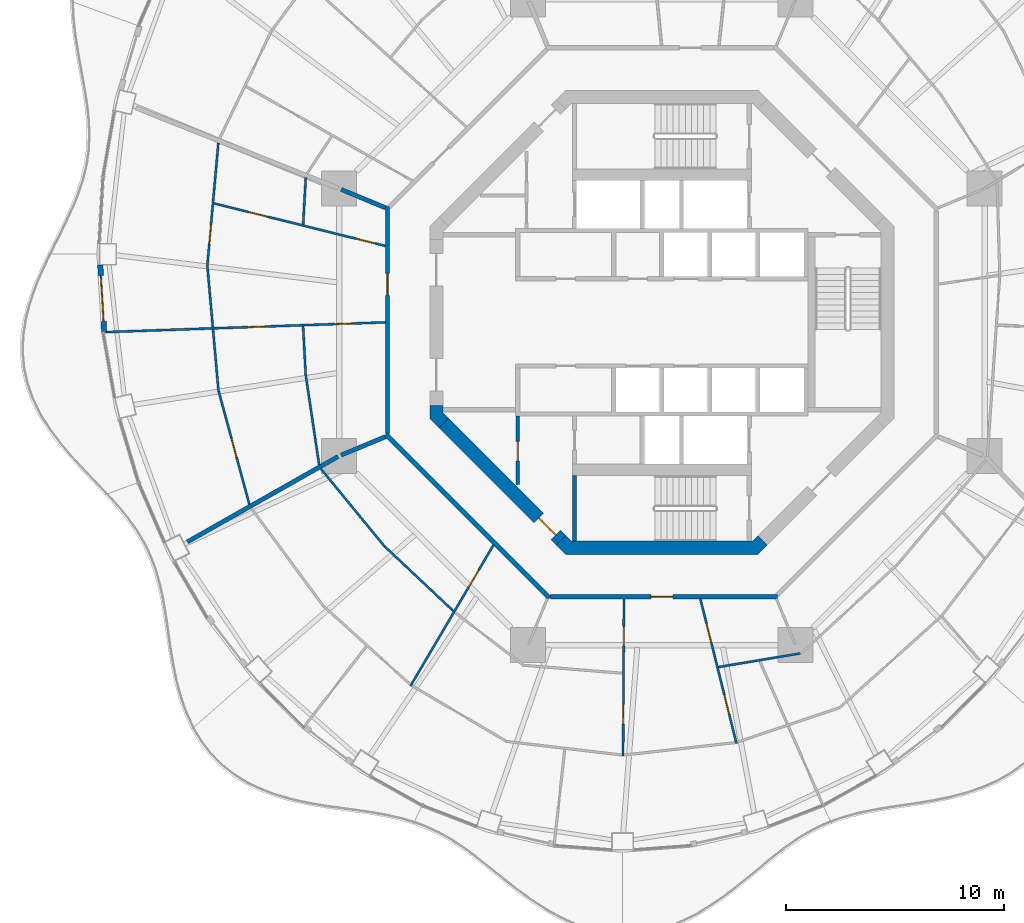
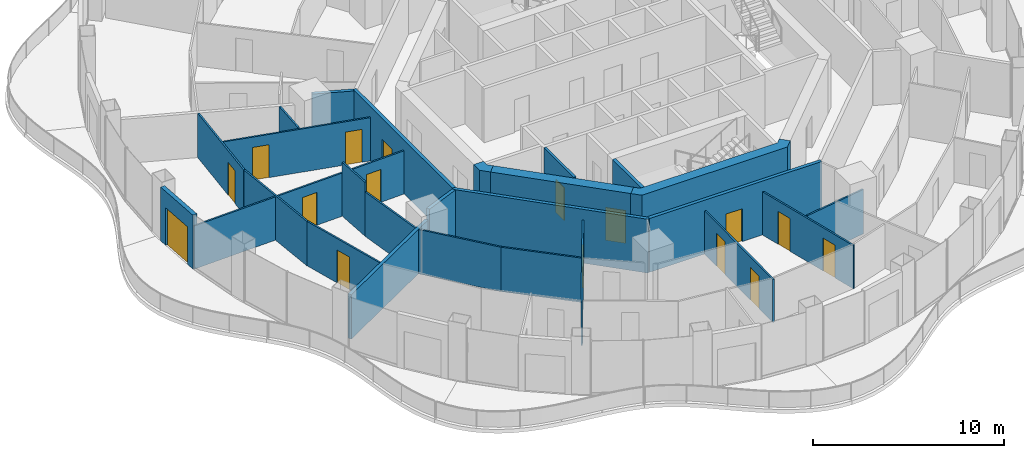
# One storey, part 10 of 18: 26 walls, 16 doors, 16 openings.
"""IFC4 building model written with IfcOpenShell, lengths in metres."""

from ifc_helpers import new_model, si_unit, direction, frame, frame_2d, origin, place, context, subcontext, project, spatial, polyline, rectangle, outline, extrude, material, layer, layer_set, type_object, element, fill, save


model = new_model("IFC4")

# Units and contexts
model_context = context("Model", 3, precision=1e-05, world=origin(), true_north=direction((0.0, 1.0)))
body_context = subcontext(model_context, "Body", "Model", "MODEL_VIEW")
ifc_project = project(units=[si_unit("LENGTHUNIT", "METRE"), si_unit("AREAUNIT", "SQUARE_METRE"), si_unit("VOLUMEUNIT", "CUBIC_METRE"), si_unit("PLANEANGLEUNIT", "RADIAN"), si_unit("MASSUNIT", "GRAM", prefix="KILO")], contexts=[model_context])

# Site, building, storey
site_placement = place(None, origin())
site = spatial("IfcSite", under=ifc_project, at=site_placement, CompositionType="ELEMENT")
building_placement = place(site_placement, origin())
building = spatial("IfcBuilding", under=site, at=building_placement, Name="Nagisa Residences", CompositionType="ELEMENT")
storey_placement = place(building_placement, frame((0.0, 0.0, 223.300048828125)))
storey = spatial("IfcBuildingStorey", under=building, at=storey_placement, Name="L56", CompositionType="ELEMENT", Elevation=223.300048828125)

# Walls
ifc_material_1 = material(Name="Gypsum board on steel studs", Category="steel")
ifc_layer_1 = layer(ifc_material_1, 0.199951171875)
ifc_layer_set_1 = layer_set([ifc_layer_1], Name="Apartment compartment wall EI60 200")
wall_type_1 = type_object("IfcWallType", Name="Apartment compartment wall EI60 200", PredefinedType="PARTITIONING", material=ifc_layer_set_1)
for number, where, z_axis, x_axis, name in (
    (1, (-12.6572265625, 5.24267578125, 0.0), (0.0, 0.0, 1.0), (-0.923859888513, 0.38273085373, 0.0), "wall:L56:u02"),
    (2, (-12.6572265625, -5.24267578125, 0.0), (0.0, 0.0, 1.0), (-0.923859888513, -0.38273085373, 0.0), "wall:L56:u04"),
):
    element("IfcWall", number, at=place(storey_placement, frame(where, z_axis=z_axis, x_axis=x_axis)), inside=storey, type_object=wall_type_1, Name=name, PredefinedType="PARTITIONING", context=body_context, shape_type="SweptSolid", body=[
        extrude(rectangle(XDim=2.199462890625, YDim=0.199951171875, at=frame_2d((1.099609375, 0.0))), origin(), (0.0, 0.0, 1.0), 3.43994140625),
    ])
wall_1_placement = place(storey_placement, frame((-14.825439453125, -6.147705078125, 0.0), z_axis=(0.0, 0.0, 1.0), x_axis=(-0.870099576105, -0.492875975944, 0.0)))
element("IfcWall", 3, at=wall_1_placement, inside=storey, type_object=wall_type_1, Name="wall:L56:u05", PredefinedType="PARTITIONING", context=body_context, shape_type="SweptSolid", body=[
    extrude(rectangle(XDim=7.937255859375, YDim=0.199951171875, at=frame_2d((3.96875, 0.0))), origin(), (0.0, 0.0, 1.0), 2.8369140625),
])

# Wall, opening, door
ifc_material_2 = material(Name="Gypsum board on steel studs", Category="steel")
ifc_layer_2 = layer(ifc_material_2, 0.199951171875)
ifc_layer_set_2 = layer_set([ifc_layer_2], Name="Apartment entry wall EI60 200")
wall_type_2 = type_object("IfcWallType", Name="Apartment entry wall EI60 200", PredefinedType="PARTITIONING", material=ifc_layer_set_2)
wall_2_placement = place(storey_placement, frame((-12.564697265625, 5.304443359375, 0.0), z_axis=(0.0, 0.0, 1.0), x_axis=(0.0, -1.0, 0.0)))
wall_2 = element("IfcWall", 4, at=wall_2_placement, inside=storey, type_object=wall_type_2, Name="wall:L56:u12", PredefinedType="PARTITIONING", context=body_context, shape_type="SweptSolid", body=[
    extrude(rectangle(XDim=10.408935546875, YDim=0.199951171875, at=frame_2d((5.20458984375, 0.0))), origin(), (0.0, 0.0, 1.0), 3.43994140625),
])
opening_1_placement = place(wall_2_placement, frame((3.069580078125, 0.0, 0.0)))
opening_1 = element("IfcOpeningElement", 5, at=opening_1_placement, cuts=wall_2, Name="Opening L56-U08", PredefinedType="OPENING", context=body_context, shape_type="SweptSolid", body=[
    extrude(rectangle(XDim=1.0, YDim=2.10009765625, at=frame_2d((0.5, 1.050048828125))), frame((0.0, 0.10986328125, 0.0), z_axis=(0.0, -1.0, 0.0), x_axis=(1.0, 0.0, 0.0)), (0.0, 0.0, 1.0), 0.219970703125),
])
ifc_material_3 = material(Name="Timber fire door set", Category="wood")
door_type_1 = type_object("IfcDoorType", Name="Apartment entry door FD30S 1000x2100", OperationType="NOTDEFINED", PredefinedType="DOOR", material=ifc_material_3)
door_1_placement = place(opening_1_placement, frame((1.0, 0.0, 0.0), x_axis=(-1.0, 0.0, 0.0)))
door_1 = element("IfcDoor", 6, at=door_1_placement, inside=storey, type_object=door_type_1, Name="Entry door, Apartment 56B", OperationType="SINGLE_SWING_LEFT", OverallHeight=2.10009765625, OverallWidth=1.0, PredefinedType="DOOR", context=body_context, shape_type="SweptSolid", body=[
    extrude(rectangle(XDim=1.0, YDim=2.10009765625, at=frame_2d((0.5, 1.050048828125))), frame((0.0, 0.02490234375, 0.0), z_axis=(0.0, -1.0, 0.0), x_axis=(1.0, 0.0, 0.0)), (0.0, 0.0, 1.0), 0.050048828125),
])
fill(opening_1, door_1)

# Wall
wall_3_placement = place(storey_placement, frame((-12.635498046875, -5.1337890625, 0.0), z_axis=(0.0, 0.0, 1.0), x_axis=(0.707106781187, -0.707106781187, 0.0)))
element("IfcWall", 7, at=wall_3_placement, inside=storey, type_object=wall_type_2, Name="wall:L56:u13", PredefinedType="PARTITIONING", context=body_context, shape_type="SweptSolid", body=[
    extrude(rectangle(XDim=10.609130859375, YDim=0.199951171875, at=frame_2d((5.3046875, 0.0))), origin(), (0.0, 0.0, 1.0), 3.43994140625),
])

# Wall, opening, door
wall_4_placement = place(storey_placement, frame((-5.1044921875, -12.564697265625, 0.0), z_axis=(0.0, 0.0, 1.0), x_axis=(1.0, 0.0, 0.0)))
wall_4 = element("IfcWall", 8, at=wall_4_placement, inside=storey, type_object=wall_type_2, Name="wall:L56:u14", PredefinedType="PARTITIONING", context=body_context, shape_type="SweptSolid", body=[
    extrude(rectangle(XDim=10.408935546875, YDim=0.199951171875, at=frame_2d((5.20458984375, 0.0))), origin(), (0.0, 0.0, 1.0), 3.43994140625),
])
opening_2_placement = place(wall_4_placement, frame((4.6044921875, 0.0, 0.0)))
opening_2 = element("IfcOpeningElement", 9, at=opening_2_placement, cuts=wall_4, Name="Opening L56-U15", PredefinedType="OPENING", context=body_context, shape_type="SweptSolid", body=[
    extrude(rectangle(XDim=1.0, YDim=2.10009765625, at=frame_2d((0.5, 1.050048828125))), frame((0.0, 0.10986328125, 0.0), z_axis=(0.0, -1.0, 0.0), x_axis=(1.0, 0.0, 0.0)), (0.0, 0.0, 1.0), 0.219970703125),
])
door_2_placement = place(opening_2_placement, frame((1.0, 0.0, 0.0), x_axis=(-1.0, 0.0, 0.0)))
door_2 = element("IfcDoor", 10, at=door_2_placement, inside=storey, type_object=door_type_1, Name="Entry door, Apartment 56C", OperationType="SINGLE_SWING_RIGHT", OverallHeight=2.10009765625, OverallWidth=1.0, PredefinedType="DOOR", context=body_context, shape_type="SweptSolid", body=[
    extrude(rectangle(XDim=1.0, YDim=2.10009765625, at=frame_2d((0.5, 1.050048828125))), frame((0.0, 0.02490234375, 0.0), z_axis=(0.0, -1.0, 0.0), x_axis=(1.0, 0.0, 0.0)), (0.0, 0.0, 1.0), 0.050048828125),
])
fill(opening_2, door_2)

# Wall
ifc_material_4 = material(Name="Gypsum board on steel studs", Category="steel")
ifc_layer_3 = layer(ifc_material_4, 0.10009765625)
ifc_layer_set_3 = layer_set([ifc_layer_3], Name="Apartment partition 100")
wall_type_3 = type_object("IfcWallType", Name="Apartment partition 100", PredefinedType="PARTITIONING", material=ifc_layer_set_3)
wall_5_placement = place(storey_placement, frame((-16.306884765625, 6.62744140625, 0.0), z_axis=(0.0, 0.0, 1.0), x_axis=(-0.055608865939, -0.998452629837, 0.0)))
element("IfcWall", 11, at=wall_5_placement, inside=storey, type_object=wall_type_3, Name="wall:L56:u54", PredefinedType="PARTITIONING", context=body_context, shape_type="SweptSolid", body=[
    extrude(rectangle(XDim=2.142578125, YDim=0.10009765625, at=frame_2d((1.0712890625, 0.0))), origin(), (0.0, 0.0, 1.0), 2.8369140625),
])

# Wall, opening, door
wall_6_placement = place(storey_placement, frame((-20.3095703125, 8.21826171875, 0.0), z_axis=(0.0, 0.0, 1.0), x_axis=(-0.089284106956, -0.996006198899, 0.0)))
wall_6 = element("IfcWall", 12, at=wall_6_placement, inside=storey, type_object=wall_type_3, Name="wall:L56:u55", PredefinedType="PARTITIONING", context=body_context, shape_type="SweptSolid", body=[
    extrude(rectangle(XDim=5.698486328125, YDim=0.10009765625, at=frame_2d((2.84912109375, 0.0))), origin(), (0.0, 0.0, 1.0), 2.8369140625),
])
opening_3_placement = place(wall_6_placement, frame((3.761474609375, 0.0, 0.0)))
opening_3 = element("IfcOpeningElement", 13, at=opening_3_placement, cuts=wall_6, Name="Opening L56-U13", PredefinedType="OPENING", context=body_context, shape_type="SweptSolid", body=[
    extrude(rectangle(XDim=0.89990234375, YDim=2.10009765625, at=frame_2d((0.449951171875, 1.050048828125))), frame((0.0, 0.06005859375, 0.0), z_axis=(0.0, -1.0, 0.0), x_axis=(1.0, 0.0, 0.0)), (0.0, 0.0, 1.0), 0.1201171875),
])
ifc_material_5 = material(Name="Timber door set", Category="wood")
door_type_2 = type_object("IfcDoorType", Name="Apartment door 900x2100", OperationType="NOTDEFINED", PredefinedType="DOOR", material=ifc_material_5)
door_3_placement = place(opening_3_placement, frame((0.89990234375, 0.0, 0.0), x_axis=(-1.0, 0.0, 0.0)))
door_3 = element("IfcDoor", 14, at=door_3_placement, inside=storey, type_object=door_type_2, Name="Door to master bedroom, Apartment 56B", OperationType="SINGLE_SWING_RIGHT", OverallHeight=2.10009765625, OverallWidth=0.89990234375, PredefinedType="DOOR", context=body_context, shape_type="SweptSolid", body=[
    extrude(rectangle(XDim=0.89990234375, YDim=2.10009765625, at=frame_2d((0.449951171875, 1.050048828125))), frame((0.0, 0.02490234375, 0.0), z_axis=(0.0, -1.0, 0.0), x_axis=(1.0, 0.0, 0.0)), (0.0, 0.0, 1.0), 0.050048828125),
])
fill(opening_3, door_3)

# Wall, openings, doors
wall_7_placement = place(storey_placement, frame((-12.661865234375, 3.49365234375, 0.0), z_axis=(0.0, 0.0, 1.0), x_axis=(-0.970505526029, 0.241078874951, 0.0)))
wall_7 = element("IfcWall", 15, at=wall_7_placement, inside=storey, type_object=wall_type_3, Name="wall:L56:u56", PredefinedType="PARTITIONING", context=body_context, shape_type="SweptSolid", body=[
    extrude(rectangle(XDim=8.08544921875, YDim=0.10009765625, at=frame_2d((4.042724609375, 0.0))), origin(), (0.0, 0.0, 1.0), 2.761962890625),
])
opening_4_placement = place(wall_7_placement, frame((0.464111328125, 0.0, 0.0)))
opening_4 = element("IfcOpeningElement", 16, at=opening_4_placement, cuts=wall_7, Name="Opening L56-U09", PredefinedType="OPENING", context=body_context, shape_type="SweptSolid", body=[
    extrude(rectangle(XDim=0.89990234375, YDim=2.10009765625, at=frame_2d((0.449951171875, 1.050048828125))), frame((0.0, 0.06005859375, 0.0), z_axis=(0.0, -1.0, 0.0), x_axis=(1.0, 0.0, 0.0)), (0.0, 0.0, 1.0), 0.1201171875),
])
opening_5_placement = place(wall_7_placement, frame((5.53466796875, 0.0, 0.0)))
opening_5 = element("IfcOpeningElement", 17, at=opening_5_placement, cuts=wall_7, Name="Opening L56-U11", PredefinedType="OPENING", context=body_context, shape_type="SweptSolid", body=[
    extrude(rectangle(XDim=0.89990234375, YDim=2.10009765625, at=frame_2d((0.449951171875, 1.050048828125))), frame((0.0, 0.06005859375, 0.0), z_axis=(0.0, -1.0, 0.0), x_axis=(1.0, 0.0, 0.0)), (0.0, 0.0, 1.0), 0.1201171875),
])
door_4_placement = place(opening_4_placement, frame((0.89990234375, 0.0, 0.0), x_axis=(-1.0, 0.0, 0.0)))
door_4 = element("IfcDoor", 18, at=door_4_placement, inside=storey, type_object=door_type_2, Name="Door to family bathroom, Apartment 56B", OperationType="SINGLE_SWING_RIGHT", OverallHeight=2.10009765625, OverallWidth=0.89990234375, PredefinedType="DOOR", context=body_context, shape_type="SweptSolid", body=[
    extrude(rectangle(XDim=0.89990234375, YDim=2.10009765625, at=frame_2d((0.449951171875, 1.050048828125))), frame((0.0, 0.02490234375, 0.0), z_axis=(0.0, -1.0, 0.0), x_axis=(1.0, 0.0, 0.0)), (0.0, 0.0, 1.0), 0.050048828125),
])
fill(opening_4, door_4)
door_5_placement = place(opening_5_placement, frame((0.89990234375, 0.0, 0.0), x_axis=(-1.0, 0.0, 0.0)))
door_5 = element("IfcDoor", 19, at=door_5_placement, inside=storey, type_object=door_type_2, Name="Door to family bathroom, Apartment 56B", OperationType="SINGLE_SWING_RIGHT", OverallHeight=2.10009765625, OverallWidth=0.89990234375, PredefinedType="DOOR", context=body_context, shape_type="SweptSolid", body=[
    extrude(rectangle(XDim=0.89990234375, YDim=2.10009765625, at=frame_2d((0.449951171875, 1.050048828125))), frame((0.0, 0.02490234375, 0.0), z_axis=(0.0, -1.0, 0.0), x_axis=(1.0, 0.0, 0.0)), (0.0, 0.0, 1.0), 0.050048828125),
])
fill(opening_5, door_5)

# Wall
wall_8_placement = place(storey_placement, frame((-20.8095703125, 2.54248046875, 0.0), z_axis=(0.0, 0.0, 1.0), x_axis=(0.088651453697, -0.996062708748, 0.0)))
element("IfcWall", 20, at=wall_8_placement, inside=storey, type_object=wall_type_3, Name="wall:L56:u57", PredefinedType="PARTITIONING", context=body_context, shape_type="SweptSolid", body=[
    extrude(rectangle(XDim=5.736572265625, YDim=0.10009765625, at=frame_2d((2.8681640625, 0.0))), origin(), (0.0, 0.0, 1.0), 2.8369140625),
])

# Wall, openings, doors
wall_9_placement = place(storey_placement, frame((-12.664794921875, -0.00341796875, 0.0), z_axis=(0.0, 0.0, 1.0), x_axis=(-0.999390583608, -0.034906466382, 0.0)))
wall_9 = element("IfcWall", 21, at=wall_9_placement, inside=storey, type_object=wall_type_3, Name="wall:L56:u58", PredefinedType="PARTITIONING", context=body_context, shape_type="SweptSolid", body=[
    extrude(rectangle(XDim=12.967041015625, YDim=0.10009765625, at=frame_2d((6.4833984375, 0.0))), origin(), (0.0, 0.0, 1.0), 2.761962890625),
])
opening_6_placement = place(wall_9_placement, frame((1.435302734375, 0.0, 0.0)))
opening_6 = element("IfcOpeningElement", 22, at=opening_6_placement, cuts=wall_9, Name="Opening L56-U10", PredefinedType="OPENING", context=body_context, shape_type="SweptSolid", body=[
    extrude(rectangle(XDim=0.89990234375, YDim=2.10009765625, at=frame_2d((0.449951171875, 1.050048828125))), frame((0.0, 0.06005859375, 0.0), z_axis=(0.0, -1.0, 0.0), x_axis=(1.0, 0.0, 0.0)), (0.0, 0.0, 1.0), 0.1201171875),
])
opening_7_placement = place(wall_9_placement, frame((5.385009765625, 0.0, 0.0)))
opening_7 = element("IfcOpeningElement", 23, at=opening_7_placement, cuts=wall_9, Name="Opening L56-U12", PredefinedType="OPENING", context=body_context, shape_type="SweptSolid", body=[
    extrude(rectangle(XDim=0.89990234375, YDim=2.10009765625, at=frame_2d((0.449951171875, 1.050048828125))), frame((0.0, 0.06005859375, 0.0), z_axis=(0.0, -1.0, 0.0), x_axis=(1.0, 0.0, 0.0)), (0.0, 0.0, 1.0), 0.1201171875),
])
door_6_placement = place(opening_6_placement, origin())
door_6 = element("IfcDoor", 24, at=door_6_placement, inside=storey, type_object=door_type_2, Name="Door to store, Apartment 56B", OperationType="SINGLE_SWING_RIGHT", OverallHeight=2.10009765625, OverallWidth=0.89990234375, PredefinedType="DOOR", context=body_context, shape_type="SweptSolid", body=[
    extrude(rectangle(XDim=0.89990234375, YDim=2.10009765625, at=frame_2d((0.449951171875, 1.050048828125))), frame((0.0, 0.02490234375, 0.0), z_axis=(0.0, -1.0, 0.0), x_axis=(1.0, 0.0, 0.0)), (0.0, 0.0, 1.0), 0.050048828125),
])
fill(opening_6, door_6)
door_7_placement = place(opening_7_placement, origin())
door_7 = element("IfcDoor", 25, at=door_7_placement, inside=storey, type_object=door_type_2, Name="Door to kitchen, Apartment 56B", OperationType="SINGLE_SWING_RIGHT", OverallHeight=2.10009765625, OverallWidth=0.89990234375, PredefinedType="DOOR", context=body_context, shape_type="SweptSolid", body=[
    extrude(rectangle(XDim=0.89990234375, YDim=2.10009765625, at=frame_2d((0.449951171875, 1.050048828125))), frame((0.0, 0.02490234375, 0.0), z_axis=(0.0, -1.0, 0.0), x_axis=(1.0, 0.0, 0.0)), (0.0, 0.0, 1.0), 0.050048828125),
])
fill(opening_7, door_7)

# Walls
wall_10_placement = place(storey_placement, frame((-16.4306640625, -0.177978515625, 0.0), z_axis=(0.0, 0.0, 1.0), x_axis=(0.053951127036, -0.998543577362, 0.0)))
element("IfcWall", 26, at=wall_10_placement, inside=storey, type_object=wall_type_3, Name="wall:L56:u59", PredefinedType="PARTITIONING", context=body_context, shape_type="SweptSolid", body=[
    extrude(rectangle(XDim=2.18115234375, YDim=0.10009765625, at=frame_2d((1.090576171875, 0.0))), origin(), (0.0, 0.0, 1.0), 3.43994140625),
])
wall_11_placement = place(storey_placement, frame((-16.317626953125, -2.3564453125, 0.0), z_axis=(0.0, 0.0, 1.0), x_axis=(0.147684413341, -0.989034536331, 0.0)))
element("IfcWall", 27, at=wall_11_placement, inside=storey, type_object=wall_type_3, Name="wall:L56:u60", PredefinedType="PARTITIONING", context=body_context, shape_type="SweptSolid", body=[
    extrude(rectangle(XDim=4.22216796875, YDim=0.10009765625, at=frame_2d((2.111083984375, 0.0))), origin(), (0.0, 0.0, 1.0), 2.8369140625),
])

# Wall, opening, door
wall_12_placement = place(storey_placement, frame((-20.29248046875, -3.169677734375, 0.0), z_axis=(0.0, 0.0, 1.0), x_axis=(0.26187906236, -0.965100697698, 0.0)))
wall_12 = element("IfcWall", 28, at=wall_12_placement, inside=storey, type_object=wall_type_3, Name="wall:L56:u61", PredefinedType="PARTITIONING", context=body_context, shape_type="SweptSolid", body=[
    extrude(rectangle(XDim=5.35595703125, YDim=0.10009765625, at=frame_2d((2.677978515625, 0.0))), origin(), (0.0, 0.0, 1.0), 2.8369140625),
])
opening_8_placement = place(wall_12_placement, frame((2.227783203125, 0.0, 0.0)))
opening_8 = element("IfcOpeningElement", 29, at=opening_8_placement, cuts=wall_12, Name="Opening L56-U14", PredefinedType="OPENING", context=body_context, shape_type="SweptSolid", body=[
    extrude(rectangle(XDim=0.89990234375, YDim=2.10009765625, at=frame_2d((0.449951171875, 1.050048828125))), frame((0.0, 0.06005859375, 0.0), z_axis=(0.0, -1.0, 0.0), x_axis=(1.0, 0.0, 0.0)), (0.0, 0.0, 1.0), 0.1201171875),
])
door_8_placement = place(opening_8_placement, frame((0.89990234375, 0.0, 0.0), x_axis=(-1.0, 0.0, 0.0)))
door_8 = element("IfcDoor", 30, at=door_8_placement, inside=storey, type_object=door_type_2, Name="Door to family room, Apartment 56B", OperationType="SINGLE_SWING_LEFT", OverallHeight=2.10009765625, OverallWidth=0.89990234375, PredefinedType="DOOR", context=body_context, shape_type="SweptSolid", body=[
    extrude(rectangle(XDim=0.89990234375, YDim=2.10009765625, at=frame_2d((0.449951171875, 1.050048828125))), frame((0.0, 0.02490234375, 0.0), z_axis=(0.0, -1.0, 0.0), x_axis=(1.0, 0.0, 0.0)), (0.0, 0.0, 1.0), 0.050048828125),
])
fill(opening_8, door_8)

# Walls
wall_13_placement = place(storey_placement, frame((-15.615966796875, -6.70849609375, 0.0), z_axis=(0.0, 0.0, 1.0), x_axis=(0.634076422357, -0.773270386483, 0.0)))
element("IfcWall", 31, at=wall_13_placement, inside=storey, type_object=wall_type_3, Name="wall:L56:u62", PredefinedType="PARTITIONING", context=body_context, shape_type="SweptSolid", body=[
    extrude(rectangle(XDim=4.611083984375, YDim=0.10009765625, at=frame_2d((2.3056640625, 0.0))), origin(), (0.0, 0.0, 1.0), 2.8369140625),
])
wall_14_placement = place(storey_placement, frame((-12.6875, -10.269775390625, 0.0), z_axis=(0.0, 0.0, 1.0), x_axis=(0.728268142903, -0.685292282192, 0.0)))
element("IfcWall", 32, at=wall_14_placement, inside=storey, type_object=wall_type_3, Name="wall:L56:u64", PredefinedType="PARTITIONING", context=body_context, shape_type="SweptSolid", body=[
    extrude(rectangle(XDim=4.311767578125, YDim=0.10009765625, at=frame_2d((2.15576171875, 0.0))), origin(), (0.0, 0.0, 1.0), 2.8369140625),
])

# Wall, opening, door
wall_15_placement = place(storey_placement, frame((-7.708740234375, -10.197509765625, 0.0), z_axis=(0.0, 0.0, 1.0), x_axis=(-0.507362999545, -0.861732433353, 0.0)))
wall_15 = element("IfcWall", 33, at=wall_15_placement, inside=storey, type_object=wall_type_3, Name="wall:L56:u67", PredefinedType="PARTITIONING", context=body_context, shape_type="SweptSolid", body=[
    extrude(rectangle(XDim=7.49853515625, YDim=0.10009765625, at=frame_2d((3.749267578125, 0.0))), origin(), (0.0, 0.0, 1.0), 2.761962890625),
])
opening_9_placement = place(wall_15_placement, frame((1.326171875, 0.0, 0.0)))
opening_9 = element("IfcOpeningElement", 34, at=opening_9_placement, cuts=wall_15, Name="Opening L56-U29", PredefinedType="OPENING", context=body_context, shape_type="SweptSolid", body=[
    extrude(rectangle(XDim=0.89990234375, YDim=2.10009765625, at=frame_2d((0.449951171875, 1.050048828125))), frame((0.0, 0.06005859375, 0.0), z_axis=(0.0, -1.0, 0.0), x_axis=(1.0, 0.0, 0.0)), (0.0, 0.0, 1.0), 0.1201171875),
])
door_9_placement = place(opening_9_placement, frame((0.89990234375, 0.0, 0.0), x_axis=(-1.0, 0.0, 0.0)))
door_9 = element("IfcDoor", 35, at=door_9_placement, inside=storey, type_object=door_type_2, Name="Door to store, Apartment 56C", OperationType="SINGLE_SWING_RIGHT", OverallHeight=2.10009765625, OverallWidth=0.89990234375, PredefinedType="DOOR", context=body_context, shape_type="SweptSolid", body=[
    extrude(rectangle(XDim=0.89990234375, YDim=2.10009765625, at=frame_2d((0.449951171875, 1.050048828125))), frame((0.0, 0.02490234375, 0.0), z_axis=(0.0, -1.0, 0.0), x_axis=(1.0, 0.0, 0.0)), (0.0, 0.0, 1.0), 0.050048828125),
])
fill(opening_9, door_9)

# Wall, openings, doors
wall_16_placement = place(storey_placement, frame((-1.7353515625, -12.664794921875, 0.0), z_axis=(0.0, 0.0, 1.0), x_axis=(-0.005554152823, -0.999984575574, 0.0)))
wall_16 = element("IfcWall", 36, at=wall_16_placement, inside=storey, type_object=wall_type_3, Name="wall:L56:u74", PredefinedType="PARTITIONING", context=body_context, shape_type="SweptSolid", body=[
    extrude(rectangle(XDim=7.208740234375, YDim=0.10009765625, at=frame_2d((3.6044921875, 0.0))), origin(), (0.0, 0.0, 1.0), 2.761962890625),
])
opening_10_placement = place(wall_16_placement, frame((1.256103515625, 0.0, 0.0)))
opening_10 = element("IfcOpeningElement", 37, at=opening_10_placement, cuts=wall_16, Name="Opening L56-U16", PredefinedType="OPENING", context=body_context, shape_type="SweptSolid", body=[
    extrude(rectangle(XDim=0.89990234375, YDim=2.10009765625, at=frame_2d((0.449951171875, 1.050048828125))), frame((0.0, 0.06005859375, 0.0), z_axis=(0.0, -1.0, 0.0), x_axis=(1.0, 0.0, 0.0)), (0.0, 0.0, 1.0), 0.1201171875),
])
opening_11_placement = place(wall_16_placement, frame((4.835693359375, 0.0, 0.0)))
opening_11 = element("IfcOpeningElement", 38, at=opening_11_placement, cuts=wall_16, Name="Opening L56-U18", PredefinedType="OPENING", context=body_context, shape_type="SweptSolid", body=[
    extrude(rectangle(XDim=0.89990234375, YDim=2.10009765625, at=frame_2d((0.449951171875, 1.050048828125))), frame((0.0, 0.06005859375, 0.0), z_axis=(0.0, -1.0, 0.0), x_axis=(1.0, 0.0, 0.0)), (0.0, 0.0, 1.0), 0.1201171875),
])
door_10_placement = place(opening_10_placement, frame((0.89990234375, 0.0, 0.0), x_axis=(-1.0, 0.0, 0.0)))
door_10 = element("IfcDoor", 39, at=door_10_placement, inside=storey, type_object=door_type_2, Name="Door to store, Apartment 56C", OperationType="SINGLE_SWING_LEFT", OverallHeight=2.10009765625, OverallWidth=0.89990234375, PredefinedType="DOOR", context=body_context, shape_type="SweptSolid", body=[
    extrude(rectangle(XDim=0.89990234375, YDim=2.10009765625, at=frame_2d((0.449951171875, 1.050048828125))), frame((0.0, 0.02490234375, 0.0), z_axis=(0.0, -1.0, 0.0), x_axis=(1.0, 0.0, 0.0)), (0.0, 0.0, 1.0), 0.050048828125),
])
fill(opening_10, door_10)
door_11_placement = place(opening_11_placement, frame((0.89990234375, 0.0, 0.0), x_axis=(-1.0, 0.0, 0.0)))
door_11 = element("IfcDoor", 40, at=door_11_placement, inside=storey, type_object=door_type_2, Name="Door to kitchen, Apartment 56C", OperationType="SINGLE_SWING_LEFT", OverallHeight=2.10009765625, OverallWidth=0.89990234375, PredefinedType="DOOR", context=body_context, shape_type="SweptSolid", body=[
    extrude(rectangle(XDim=0.89990234375, YDim=2.10009765625, at=frame_2d((0.449951171875, 1.050048828125))), frame((0.0, 0.02490234375, 0.0), z_axis=(0.0, -1.0, 0.0), x_axis=(1.0, 0.0, 0.0)), (0.0, 0.0, 1.0), 0.050048828125),
])
fill(opening_11, door_11)

wall_17_placement = place(storey_placement, frame((1.759033203125, -12.661865234375, 0.0), z_axis=(0.0, 0.0, 1.0), x_axis=(0.242653275363, -0.970113079984, 0.0)))
wall_17 = element("IfcWall", 41, at=wall_17_placement, inside=storey, type_object=wall_type_3, Name="wall:L56:u76", PredefinedType="PARTITIONING", context=body_context, shape_type="SweptSolid", body=[
    extrude(rectangle(XDim=6.835693359375, YDim=0.10009765625, at=frame_2d((3.41796875, 0.0))), origin(), (0.0, 0.0, 1.0), 2.761962890625),
])
opening_12_placement = place(wall_17_placement, frame((1.166015625, 0.0, 0.0)))
opening_12 = element("IfcOpeningElement", 42, at=opening_12_placement, cuts=wall_17, Name="Opening L56-U17", PredefinedType="OPENING", context=body_context, shape_type="SweptSolid", body=[
    extrude(rectangle(XDim=0.89990234375, YDim=2.10009765625, at=frame_2d((0.449951171875, 1.050048828125))), frame((0.0, 0.06005859375, 0.0), z_axis=(0.0, -1.0, 0.0), x_axis=(1.0, 0.0, 0.0)), (0.0, 0.0, 1.0), 0.1201171875),
])
opening_13_placement = place(wall_17_placement, frame((4.558837890625, 0.0, 0.0)))
opening_13 = element("IfcOpeningElement", 43, at=opening_13_placement, cuts=wall_17, Name="Opening L56-U19", PredefinedType="OPENING", context=body_context, shape_type="SweptSolid", body=[
    extrude(rectangle(XDim=0.89990234375, YDim=2.10009765625, at=frame_2d((0.449951171875, 1.050048828125))), frame((0.0, 0.06005859375, 0.0), z_axis=(0.0, -1.0, 0.0), x_axis=(1.0, 0.0, 0.0)), (0.0, 0.0, 1.0), 0.1201171875),
])
door_12_placement = place(opening_12_placement, origin())
door_12 = element("IfcDoor", 44, at=door_12_placement, inside=storey, type_object=door_type_2, Name="Door to family bathroom, Apartment 56C", OperationType="SINGLE_SWING_LEFT", OverallHeight=2.10009765625, OverallWidth=0.89990234375, PredefinedType="DOOR", context=body_context, shape_type="SweptSolid", body=[
    extrude(rectangle(XDim=0.89990234375, YDim=2.10009765625, at=frame_2d((0.449951171875, 1.050048828125))), frame((0.0, 0.02490234375, 0.0), z_axis=(0.0, -1.0, 0.0), x_axis=(1.0, 0.0, 0.0)), (0.0, 0.0, 1.0), 0.050048828125),
])
fill(opening_12, door_12)
door_13_placement = place(opening_13_placement, origin())
door_13 = element("IfcDoor", 45, at=door_13_placement, inside=storey, type_object=door_type_2, Name="Door to family bathroom, Apartment 56C", OperationType="SINGLE_SWING_LEFT", OverallHeight=2.10009765625, OverallWidth=0.89990234375, PredefinedType="DOOR", context=body_context, shape_type="SweptSolid", body=[
    extrude(rectangle(XDim=0.89990234375, YDim=2.10009765625, at=frame_2d((0.449951171875, 1.050048828125))), frame((0.0, 0.02490234375, 0.0), z_axis=(0.0, -1.0, 0.0), x_axis=(1.0, 0.0, 0.0)), (0.0, 0.0, 1.0), 0.050048828125),
])
fill(opening_13, door_13)

# Wall
wall_18_placement = place(storey_placement, frame((2.592529296875, -15.788818359375, 0.0), z_axis=(0.0, 0.0, 1.0), x_axis=(0.986381756816, 0.164471972749, 0.0)))
element("IfcWall", 46, at=wall_18_placement, inside=storey, type_object=wall_type_3, Name="wall:L56:u77", PredefinedType="PARTITIONING", context=body_context, shape_type="SweptSolid", body=[
    extrude(rectangle(XDim=3.797119140625, YDim=0.10009765625, at=frame_2d((1.8984375, 0.0))), origin(), (0.0, 0.0, 1.0), 2.8369140625),
])

# Wall, opening, door
ifc_material_6 = material(Name="Precast concrete C40/50", Category="concrete")
ifc_layer_4 = layer(ifc_material_6, 0.25)
ifc_layer_set_4 = layer_set([ifc_layer_4], Name="BALCONY DOOR WALL 250")
wall_type_4 = type_object("IfcWallType", Name="BALCONY DOOR WALL 250", PredefinedType="SOLIDWALL", material=ifc_layer_set_4)
wall_19_placement = place(storey_placement, frame((-25.539306640625, -0.4501953125, 0.0), z_axis=(0.0, 0.0, 1.0), x_axis=(-0.057528189427, 0.998343882348, 0.0)))
wall_19 = element("IfcWall", 47, at=wall_19_placement, inside=storey, type_object=wall_type_4, Name="wall:L56:bay24", PredefinedType="SOLIDWALL", context=body_context, shape_type="SweptSolid", body=[
    extrude(rectangle(XDim=3.0810546875, YDim=0.25, at=frame_2d((1.54052734375, 0.0))), origin(), (0.0, 0.0, 1.0), 3.43994140625),
])
opening_14_placement = place(wall_19_placement, frame((0.490478515625, 0.0, 0.0)))
opening_14 = element("IfcOpeningElement", 48, at=opening_14_placement, cuts=wall_19, Name="Opening BD-L56-09", PredefinedType="OPENING", context=body_context, shape_type="SweptSolid", body=[
    extrude(rectangle(XDim=2.10009765625, YDim=2.39990234375, at=frame_2d((1.050048828125, 1.199951171875))), frame((0.0, 0.135009765625, 0.0), z_axis=(0.0, -1.0, 0.0), x_axis=(1.0, 0.0, 0.0)), (0.0, 0.0, 1.0), 0.27001953125),
])
ifc_material_7 = material(Name="Aluminium and clear glass", Category="aluminium")
door_type_3 = type_object("IfcDoorType", Name="BALCONY SLIDING DOOR 2100x2400", OperationType="SLIDING_TO_LEFT", PredefinedType="DOOR", material=ifc_material_7)
door_14_placement = place(opening_14_placement, origin())
door_14 = element("IfcDoor", 49, at=door_14_placement, inside=storey, type_object=door_type_3, Name="door:L56:bay24", OperationType="SLIDING_TO_LEFT", OverallHeight=2.39990234375, OverallWidth=2.10009765625, PredefinedType="DOOR", context=body_context, shape_type="SweptSolid", body=[
    extrude(rectangle(XDim=2.10009765625, YDim=2.39990234375, at=frame_2d((1.050048828125, 1.199951171875))), frame((0.0, 0.02490234375, 0.0), z_axis=(0.0, -1.0, 0.0), x_axis=(1.0, 0.0, 0.0)), (0.0, 0.0, 1.0), 0.050048828125),
])
fill(opening_14, door_14)

ifc_material_8 = material(Name="Gypsum board on steel studs", Category="steel")
ifc_layer_5 = layer(ifc_material_8, 0.14990234375)
ifc_layer_set_5 = layer_set([ifc_layer_5], Name="Core partition 150")
wall_type_5 = type_object("IfcWallType", Name="Core partition 150", PredefinedType="PARTITIONING", material=ifc_layer_set_5)
wall_20_placement = place(storey_placement, frame((-6.60009765625, -7.427001953125, 0.0), z_axis=(0.0, 0.0, 1.0), x_axis=(0.0, 1.0, 0.0)))
wall_20 = element("IfcWall", 50, at=wall_20_placement, inside=storey, type_object=wall_type_5, Name="wall:L56:SWp", PredefinedType="PARTITIONING", context=body_context, shape_type="SweptSolid", body=[
    extrude(rectangle(XDim=3.126953125, YDim=0.14990234375, at=frame_2d((1.5634765625, 0.0))), origin(), (0.0, 0.0, 1.0), 3.43994140625),
])
opening_15_placement = place(wall_20_placement, frame((1.075927734375, 0.0, 0.0)))
opening_15 = element("IfcOpeningElement", 51, at=opening_15_placement, cuts=wall_20, Name="Opening L56-C13", PredefinedType="OPENING", context=body_context, shape_type="SweptSolid", body=[
    extrude(rectangle(XDim=0.89990234375, YDim=2.10009765625, at=frame_2d((0.449951171875, 1.050048828125))), frame((0.0, 0.0849609375, 0.0), z_axis=(0.0, -1.0, 0.0), x_axis=(1.0, 0.0, 0.0)), (0.0, 0.0, 1.0), 0.169921875),
])
ifc_material_9 = material(Name="Steel fire door", Category="steel")
door_type_4 = type_object("IfcDoorType", Name="Fire door EI30 900x2100 single swing", OperationType="NOTDEFINED", PredefinedType="DOOR", material=ifc_material_9)
door_15_placement = place(opening_15_placement, origin())
door_15 = element("IfcDoor", 52, at=door_15_placement, inside=storey, type_object=door_type_4, Name="Janitor door L56", OperationType="SINGLE_SWING_RIGHT", OverallHeight=2.10009765625, OverallWidth=0.89990234375, PredefinedType="DOOR", context=body_context, shape_type="SweptSolid", body=[
    extrude(rectangle(XDim=0.89990234375, YDim=2.10009765625, at=frame_2d((0.449951171875, 1.050048828125))), frame((0.0, 0.02490234375, 0.0), z_axis=(0.0, -1.0, 0.0), x_axis=(1.0, 0.0, 0.0)), (0.0, 0.0, 1.0), 0.050048828125),
])
fill(opening_15, door_15)

ifc_material_10 = material(Name="Concrete C60", Category="concrete")
ifc_layer_6 = layer(ifc_material_10, 0.60009765625)
ifc_layer_set_6 = layer_set([ifc_layer_6], Name="Core shear wall 600")
wall_type_6 = type_object("IfcWallType", Name="Core shear wall 600", PredefinedType="SHEAR", material=ifc_layer_set_6)
wall_21_placement = place(storey_placement, frame((-9.98828125, -4.613037109375, 0.0), z_axis=(0.0, 0.0, 1.0), x_axis=(0.707106781187, -0.707106781187, 0.0)))
wall_21 = element("IfcWall", 53, at=wall_21_placement, inside=storey, type_object=wall_type_6, Name="wall:L56:core:flat5", PredefinedType="SHEAR", context=body_context, shape_type="SweptSolid", body=[
    extrude(rectangle(XDim=7.601806640625, YDim=0.60009765625, at=frame_2d((3.80078125, 0.0))), origin(), (0.0, 0.0, 1.0), 3.43994140625),
])
opening_16_placement = place(wall_21_placement, frame((6.15087890625, 0.0, 0.0)))
opening_16 = element("IfcOpeningElement", 54, at=opening_16_placement, cuts=wall_21, Name="Opening L56-C23", PredefinedType="OPENING", context=body_context, shape_type="SweptSolid", body=[
    extrude(rectangle(XDim=1.10009765625, YDim=2.10009765625, at=frame_2d((0.550048828125, 1.050048828125))), frame((0.0, 0.31005859375, 0.0), z_axis=(0.0, -1.0, 0.0), x_axis=(1.0, 0.0, 0.0)), (0.0, 0.0, 1.0), 0.6201171875),
])
ifc_material_11 = material(Name="Steel fire door", Category="steel")
door_type_5 = type_object("IfcDoorType", Name="Fire door EI60 1100x2100 single swing", OperationType="NOTDEFINED", PredefinedType="DOOR", material=ifc_material_11)
door_16_placement = place(opening_16_placement, origin())
door_16 = element("IfcDoor", 55, at=door_16_placement, inside=storey, type_object=door_type_5, Name="Housekeeping lobby door L56", OperationType="SINGLE_SWING_LEFT", OverallHeight=2.10009765625, OverallWidth=1.10009765625, PredefinedType="DOOR", context=body_context, shape_type="SweptSolid", body=[
    extrude(rectangle(XDim=1.10009765625, YDim=2.10009765625, at=frame_2d((0.550048828125, 1.050048828125))), frame((0.0, 0.02490234375, 0.0), z_axis=(0.0, -1.0, 0.0), x_axis=(1.0, 0.0, 0.0)), (0.0, 0.0, 1.0), 0.050048828125),
])
fill(opening_16, door_16)

# Walls
wall_22_placement = place(storey_placement, origin())
element("IfcWall", 56, at=wall_22_placement, inside=storey, type_object=wall_type_6, Name="wall:L56:core:pier4", PredefinedType="SHEAR", context=body_context, shape_type="SweptSolid", body=[
    extrude(outline(polyline([(-10.62451171875, -3.80078125), (-10.024658203125, -3.80078125), (-10.024658203125, -4.15234375), (-9.776123046875, -4.40087890625), (-10.200439453125, -4.8251953125), (-10.62451171875, -4.40087890625), (-10.62451171875, -3.80078125)])), origin(), (0.0, 0.0, 1.0), 3.43994140625),
])
wall_23_placement = place(storey_placement, origin())
element("IfcWall", 57, at=wall_23_placement, inside=storey, type_object=wall_type_6, Name="wall:L56:core:flat6", PredefinedType="SHEAR", context=body_context, shape_type="SweptSolid", body=[
    extrude(outline(polyline([(-4.15234375, -10.024658203125), (4.15234375, -10.024658203125), (4.40087890625, -9.776123046875), (4.8251953125, -10.200439453125), (4.40087890625, -10.62451171875), (-4.40087890625, -10.62451171875), (-4.8251953125, -10.200439453125), (-4.40087890625, -9.776123046875), (-4.15234375, -10.024658203125)])), origin(), (0.0, 0.0, 1.0), 3.43994140625),
])
ifc_material_12 = material(Name="Concrete C60", Category="concrete")
ifc_layer_7 = layer(ifc_material_12, 0.199951171875)
ifc_layer_set_7 = layer_set([ifc_layer_7], Name="Stair enclosure wall 200")
wall_type_7 = type_object("IfcWallType", Name="Stair enclosure wall 200", PredefinedType="SOLIDWALL", material=ifc_layer_set_7)
wall_24_placement = place(storey_placement, origin())
element("IfcWall", 58, at=wall_24_placement, inside=storey, type_object=wall_type_7, Name="wall:L56:SS_w", PredefinedType="SOLIDWALL", context=body_context, shape_type="SweptSolid", body=[
    extrude(outline(polyline([(-3.89990234375, -10.024658203125), (-4.10009765625, -10.024658203125), (-4.10009765625, -7.024658203125), (-3.89990234375, -7.024658203125), (-3.89990234375, -10.024658203125)])), origin(), (0.0, 0.0, 1.0), 3.43994140625),
])

save(model, "model.ifc")
